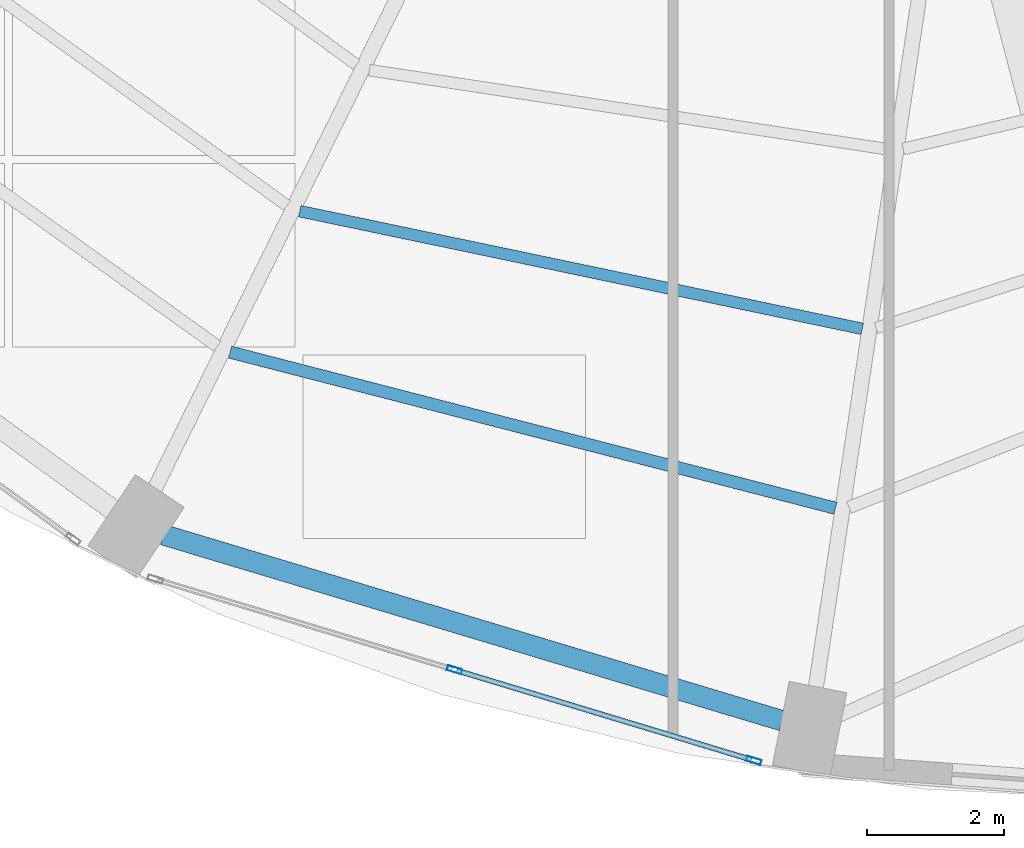
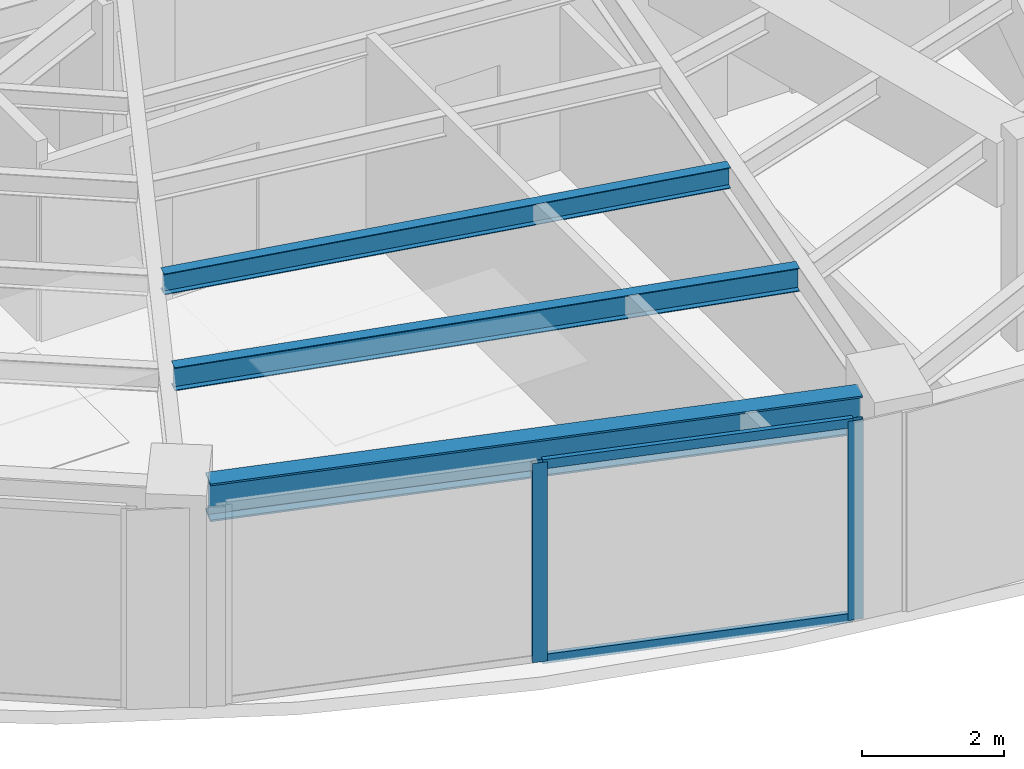
# One storey, part 5 of 24: 4 members, 3 beams, 1 element without a shape of its own.
"""IFC4 building model written with IfcOpenShell, lengths in metres."""

from ifc_helpers import new_model, si_unit, direction, frame, origin, origin_2d, place, context, subcontext, project, spatial, hollow_rectangle, i_section, extrude, material, layer, layer_set, material_profile, profile_set, type_object, element, aggregate, save


model = new_model("IFC4")

# Units and contexts
model_context = context("Model", 3, precision=1e-05, world=origin(), true_north=direction((0.0, 1.0)))
body_context = subcontext(model_context, "Body", "Model", "MODEL_VIEW")
ifc_project = project(units=[si_unit("LENGTHUNIT", "METRE"), si_unit("AREAUNIT", "SQUARE_METRE"), si_unit("VOLUMEUNIT", "CUBIC_METRE"), si_unit("PLANEANGLEUNIT", "RADIAN"), si_unit("MASSUNIT", "GRAM", prefix="KILO")], contexts=[model_context])

# Site, building, storey
site_placement = place(None, origin())
site = spatial("IfcSite", under=ifc_project, at=site_placement, CompositionType="ELEMENT")
building_placement = place(site_placement, origin())
building = spatial("IfcBuilding", under=site, at=building_placement, Name="Lazwardi Medical Tower", CompositionType="ELEMENT")
storey_placement = place(building_placement, frame((0.0, 0.0, 65.327880859375)))
storey = spatial("IfcBuildingStorey", under=building, at=storey_placement, Name="L16", CompositionType="ELEMENT", Elevation=65.327880859375)

# Beams
ifc_material_1 = material(Name="Steel S355", Category="steel")
ifc_material_profile_1 = material_profile(ifc_material_1, i_section(OverallWidth=0.300048828125, OverallDepth=0.64990234375, WebThickness=0.01611328125, FlangeThickness=0.031005859375, at=origin_2d()), Name="HEB 650")
ifc_profile_set_1 = profile_set([ifc_material_profile_1], Name="Steel S355")
beam_type_1 = type_object("IfcBeamType", Name="BM-RB-Z1", PredefinedType="BEAM", material=ifc_profile_set_1)
beam_1_placement = place(storey_placement, frame((21.22119140625, 8.9951171875, 3.10302734375), z_axis=(0.957695289269, -0.287784177662, 0.0), x_axis=(0.287784177662, 0.957695289269, 0.0)))
element("IfcBeam", 1, at=beam_1_placement, inside=storey, type_object=beam_type_1, Name="Ring beam RB-02 B15 L16", PredefinedType="BEAM", context=body_context, shape_type="SweptSolid", body=[
    extrude(i_section(OverallWidth=0.300048828125, OverallDepth=0.64990234375, WebThickness=0.01611328125, FlangeThickness=0.031005859375, at=origin_2d()), origin(), (0.0, 0.0, 1.0), 9.445556640625),
])
ifc_material_profile_2 = material_profile(ifc_material_1, i_section(OverallWidth=0.179931640625, OverallDepth=0.39990234375, WebThickness=0.008544921875, FlangeThickness=0.013427734375, at=origin_2d()), Name="IPE 400")
ifc_profile_set_2 = profile_set([ifc_material_profile_2], Name="Steel S355")
beam_type_2 = type_object("IfcBeamType", Name="BM-SJ-01", PredefinedType="JOIST", material=ifc_profile_set_2)
beam_2_placement = place(storey_placement, frame((22.195068359375, 11.666748046875, 3.22802734375), z_axis=(0.968316918308, -0.249724539682, 0.0), x_axis=(0.249724539682, 0.968316918308, 0.0)))
element("IfcBeam", 2, at=beam_2_placement, inside=storey, type_object=beam_type_2, Name="Secondary joist SJ-01 R1 B15 L16", PredefinedType="JOIST", context=body_context, shape_type="SweptSolid", body=[
    extrude(i_section(OverallWidth=0.179931640625, OverallDepth=0.39990234375, WebThickness=0.008544921875, FlangeThickness=0.013427734375, at=origin_2d()), origin(), (0.0, 0.0, 1.0), 9.140869140625),
])
ifc_material_profile_3 = material_profile(ifc_material_1, i_section(OverallWidth=0.169921875, OverallDepth=0.360107421875, WebThickness=0.008056640625, FlangeThickness=0.0126953125, at=origin_2d()), Name="IPE 360")
ifc_profile_set_3 = profile_set([ifc_material_profile_3], Name="Steel S355")
beam_type_3 = type_object("IfcBeamType", Name="BM-SJ-02", PredefinedType="JOIST", material=ifc_profile_set_3)
beam_3_placement = place(storey_placement, frame((23.213623046875, 13.728271484375, 3.248046875), z_axis=(0.978809182847, -0.204774470026, 0.0), x_axis=(0.204774470026, 0.978809182847, 0.0)))
element("IfcBeam", 3, at=beam_3_placement, inside=storey, type_object=beam_type_3, Name="Secondary joist SJ-02 R2 B15 L16", PredefinedType="JOIST", context=body_context, shape_type="SweptSolid", body=[
    extrude(i_section(OverallWidth=0.169921875, OverallDepth=0.360107421875, WebThickness=0.008056640625, FlangeThickness=0.0126953125, at=origin_2d()), origin(), (0.0, 0.0, 1.0), 8.40283203125),
])

# Curtain wall, members
ifc_material_2 = material(Name="Anodised bronze aluminium and solar control glazing", Category="aluminium")
ifc_layer = layer(ifc_material_2, 0.199951171875)
ifc_layer_set = layer_set([ifc_layer], Name="Anodised bronze aluminium and solar control glazing")
curtain_wall_type = type_object("IfcCurtainWallType", Name="CW-SYS-02", PredefinedType="NOTDEFINED", material=ifc_layer_set)
curtain_wall_placement = place(storey_placement, origin())
curtain_wall = element("IfcCurtainWall", 4, at=curtain_wall_placement, inside=storey, type_object=curtain_wall_type, Name="L16 Unitised bronze curtain wall CW-02", PredefinedType="NOTDEFINED")
ifc_material_3 = material(Name="Anodised bronze aluminium", Category="aluminium")
ifc_material_profile_4 = material_profile(ifc_material_3, hollow_rectangle(XDim=0.074951171875, YDim=0.219970703125, WallThickness=0.00390625, at=origin_2d()), Name="ALU-MULLION 220x75x4")
ifc_profile_set_4 = profile_set([ifc_material_profile_4], Name="Anodised bronze aluminium")
member_type_1 = type_object("IfcMemberType", Name="CW-MUL-01", PredefinedType="MULLION", material=ifc_profile_set_4)
member_1_placement = place(storey_placement, frame((25.476806640625, 7.021484375, 0.0), z_axis=(0.0, 0.0, 1.0), x_axis=(0.2898956909, 0.957058247129, 0.0)))
member_1 = element("IfcMember", 5, at=member_1_placement, type_object=member_type_1, Name="CW-02 mullion 2", PredefinedType="MULLION", context=body_context, shape_type="SweptSolid", body=[
    extrude(hollow_rectangle(XDim=0.074951171875, YDim=0.219970703125, WallThickness=0.00390625, at=origin_2d()), origin(), (0.0, 0.0, 1.0), 3.42822265625),
])
member_2_placement = place(storey_placement, frame((29.85205078125, 5.6962890625, 0.0), z_axis=(0.0, 0.0, 1.0), x_axis=(0.2898956909, 0.957058247129, 0.0)))
member_2 = element("IfcMember", 6, at=member_2_placement, type_object=member_type_1, Name="CW-02 mullion 3", PredefinedType="MULLION", context=body_context, shape_type="SweptSolid", body=[
    extrude(hollow_rectangle(XDim=0.074951171875, YDim=0.219970703125, WallThickness=0.00390625, at=origin_2d()), origin(), (0.0, 0.0, 1.0), 3.42822265625),
])
ifc_material_profile_5 = material_profile(ifc_material_3, hollow_rectangle(XDim=0.074951171875, YDim=0.159912109375, WallThickness=0.00390625, at=origin_2d()), Name="ALU-TRANSOM 160x75x4")
ifc_profile_set_5 = profile_set([ifc_material_profile_5], Name="Anodised bronze aluminium")
member_type_2 = type_object("IfcMemberType", Name="CW-TRN-01", PredefinedType="USERDEFINED", material=ifc_profile_set_5)
member_3_placement = place(storey_placement, frame((25.5126953125, 7.0107421875, 0.03759765625), z_axis=(0.957047233423, -0.28993204893, 0.0), x_axis=(0.28993204893, 0.957047233423, 0.0)))
member_3 = element("IfcMember", 7, at=member_3_placement, type_object=member_type_2, Name="CW-02 transom 2.1", ObjectType="TRANSOM", PredefinedType="USERDEFINED", context=body_context, shape_type="SweptSolid", body=[
    extrude(hollow_rectangle(XDim=0.074951171875, YDim=0.159912109375, WallThickness=0.00390625, at=origin_2d()), origin(), (0.0, 0.0, 1.0), 4.49658203125),
])
member_4_placement = place(storey_placement, frame((25.5126953125, 7.0107421875, 3.390625), z_axis=(0.957047233423, -0.28993204893, 0.0), x_axis=(0.28993204893, 0.957047233423, 0.0)))
member_4 = element("IfcMember", 8, at=member_4_placement, type_object=member_type_2, Name="CW-02 transom 2.2", ObjectType="TRANSOM", PredefinedType="USERDEFINED", context=body_context, shape_type="SweptSolid", body=[
    extrude(hollow_rectangle(XDim=0.074951171875, YDim=0.159912109375, WallThickness=0.00390625, at=origin_2d()), origin(), (0.0, 0.0, 1.0), 4.49658203125),
])
aggregate(curtain_wall, [member_1, member_2, member_3, member_4])

save(model, "model.ifc")
